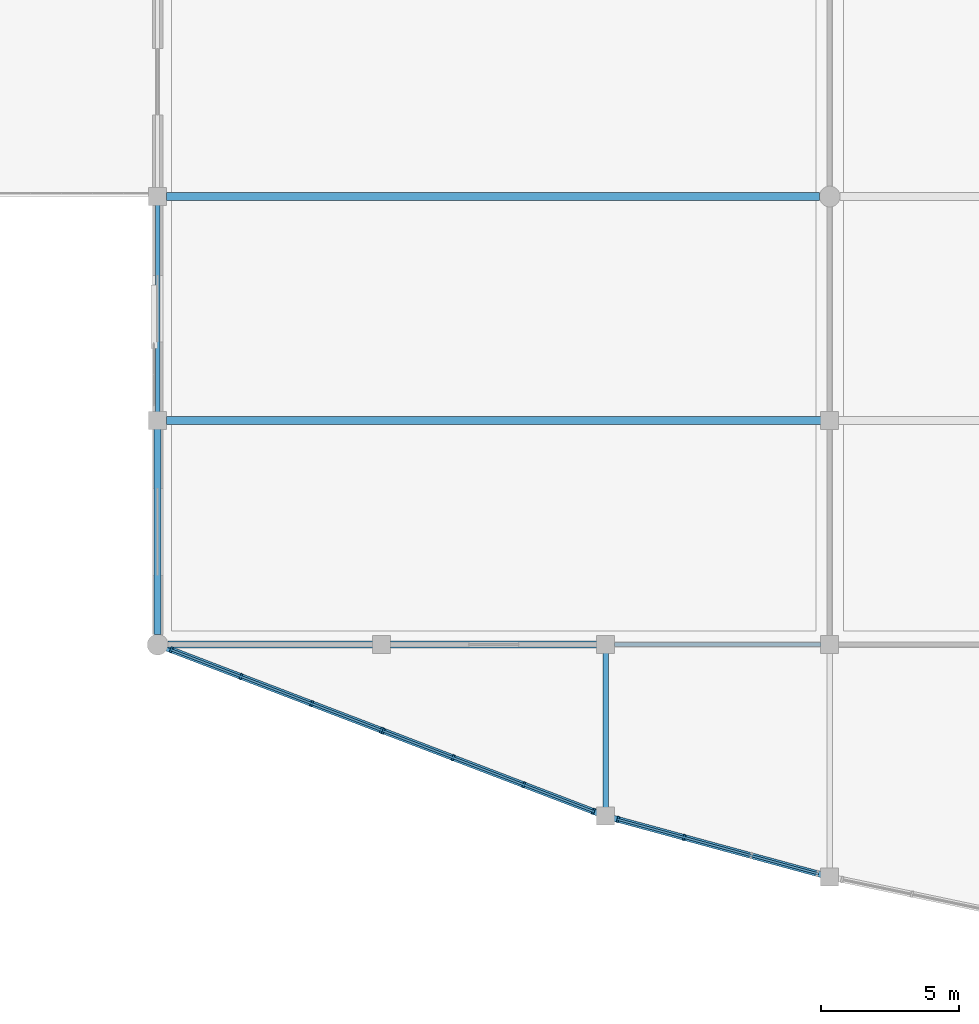
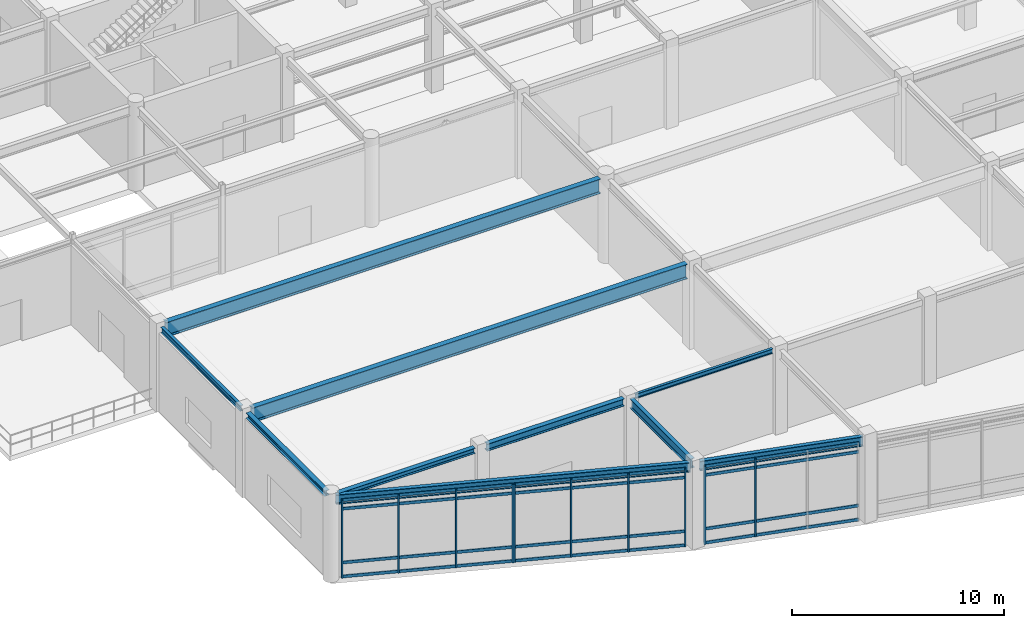
# One storey, part 22 of 99: 22 members, 10 beams, 3 elements without a shape of their own.
"""IFC4 building model written with IfcOpenShell, lengths in metres."""

from ifc_helpers import new_model, si_unit, direction, frame, origin, origin_2d, place, context, subcontext, project, spatial, rectangle, i_section, extrude, material, layer, layer_set, material_profile, profile_set, type_object, element, aggregate, save


model = new_model("IFC4")

# Units and contexts
model_context = context("Model", 3, precision=1e-05, world=origin(), true_north=direction((0.0, 1.0)))
body_context = subcontext(model_context, "Body", "Model", "MODEL_VIEW")
ifc_project = project(units=[si_unit("LENGTHUNIT", "METRE"), si_unit("AREAUNIT", "SQUARE_METRE"), si_unit("VOLUMEUNIT", "CUBIC_METRE"), si_unit("PLANEANGLEUNIT", "RADIAN"), si_unit("MASSUNIT", "GRAM", prefix="KILO")], contexts=[model_context])

# Site, building, storey
site_placement = place(None, origin())
site = spatial("IfcSite", under=ifc_project, at=site_placement, CompositionType="ELEMENT")
building_placement = place(site_placement, origin())
building = spatial("IfcBuilding", under=site, at=building_placement, Name="Vaudrelin Polytechnic", CompositionType="ELEMENT")
storey_placement = place(building_placement, origin())
storey = spatial("IfcBuildingStorey", under=building, at=storey_placement, Name="L00", CompositionType="ELEMENT", Elevation=0.0)

# Beams
ifc_material_1 = material(Name="Steel CSA G40.21 350WT", Category="steel")
ifc_material_profile_1 = material_profile(ifc_material_1, i_section(OverallWidth=0.260009765625, OverallDepth=0.4150390625, WebThickness=0.010009765625, FlangeThickness=0.016845703125, FilletRadius=0.01611328125, at=origin_2d()), Name="W410x100")
ifc_profile_set_1 = profile_set([ifc_material_profile_1], Name="Steel CSA G40.21 350WT")
beam_type_1 = type_object("IfcBeamType", Name="BM-BM-W410H", PredefinedType="SPANDREL", material=ifc_profile_set_1)
beam_1_placement = place(storey_placement, frame((48.9208984375, 0.0, 4.612548828125), z_axis=(1.0, 0.0, 0.0), x_axis=(0.0, 1.0, 0.0)))
element("IfcBeam", 1, at=beam_1_placement, inside=storey, type_object=beam_type_1, Name="L00 X-beam 7-1", PredefinedType="SPANDREL", context=body_context, shape_type="SweptSolid", body=[
    extrude(i_section(OverallWidth=0.260009765625, OverallDepth=0.4150390625, WebThickness=0.010009765625, FlangeThickness=0.016845703125, FilletRadius=0.01611328125, at=origin_2d()), origin(), (0.0, 0.0, 1.0), 7.4580078125),
])
ifc_material_2 = material(Name="Steel CSA G40.21 350W", Category="steel")
ifc_material_profile_2 = material_profile(ifc_material_2, i_section(OverallWidth=0.208984375, OverallDepth=0.532958984375, WebThickness=0.01025390625, FlangeThickness=0.015625, FilletRadius=0.01904296875, at=origin_2d()), Name="W530x92")
ifc_profile_set_2 = profile_set([ifc_material_profile_2], Name="Steel CSA G40.21 350W")
beam_type_2 = type_object("IfcBeamType", Name="BM-BM-W530", PredefinedType="BEAM", material=ifc_profile_set_2)
beam_2_placement = place(storey_placement, frame((56.699951171875, -5.97998046875, 4.553466796875), z_axis=(0.0, 1.0, 0.0), x_axis=(-1.0, 0.0, 0.0)))
element("IfcBeam", 2, at=beam_2_placement, inside=storey, type_object=beam_type_2, Name="Sculptural edge beam L00 V2P_TIE_7", PredefinedType="BEAM", context=body_context, shape_type="SweptSolid", body=[
    extrude(i_section(OverallWidth=0.208984375, OverallDepth=0.532958984375, WebThickness=0.01025390625, FlangeThickness=0.015625, FilletRadius=0.01904296875, at=origin_2d()), origin(), (0.0, 0.0, 1.0), 5.760009765625),
])
ifc_material_profile_3 = material_profile(ifc_material_2, i_section(OverallWidth=0.214111328125, OverallDepth=0.549072265625, WebThickness=0.0146484375, FlangeThickness=0.023681640625, FilletRadius=0.01904296875, at=origin_2d()), Name="W530x138")
ifc_profile_set_3 = profile_set([ifc_material_profile_3], Name="Steel CSA G40.21 350W")
beam_type_3 = type_object("IfcBeamType", Name="BM-BM-W530H", PredefinedType="BEAM", material=ifc_profile_set_3)
beam_3_placement = place(storey_placement, frame((40.70556640625, -0.07861328125, 4.54541015625), z_axis=(0.933936876912, -0.357437980555, 0.0), x_axis=(0.357437980555, 0.933936876912, 0.0)))
element("IfcBeam", 3, at=beam_3_placement, inside=storey, type_object=beam_type_3, Name="Sculptural edge beam L00 V2P_BM_1", PredefinedType="BEAM", context=body_context, shape_type="SweptSolid", body=[
    extrude(i_section(OverallWidth=0.214111328125, OverallDepth=0.549072265625, WebThickness=0.0146484375, FlangeThickness=0.023681640625, FilletRadius=0.01904296875, at=origin_2d()), origin(), (0.0, 0.0, 1.0), 16.90576171875),
])
beam_4_placement = place(storey_placement, frame((56.912353515625, -6.2578125, 4.54541015625), z_axis=(0.965043793818, -0.262088679675, 0.0), x_axis=(0.262088679675, 0.965043793818, 0.0)))
element("IfcBeam", 4, at=beam_4_placement, inside=storey, type_object=beam_type_3, Name="Sculptural edge beam L00 V2P_BM_2", PredefinedType="BEAM", context=body_context, shape_type="SweptSolid", body=[
    extrude(i_section(OverallWidth=0.214111328125, OverallDepth=0.549072265625, WebThickness=0.0146484375, FlangeThickness=0.023681640625, FilletRadius=0.01904296875, at=origin_2d()), origin(), (0.0, 0.0, 1.0), 7.953369140625),
])
ifc_material_profile_4 = material_profile(ifc_material_2, i_section(OverallWidth=0.2919921875, OverallDepth=0.840087890625, WebThickness=0.0146484375, FlangeThickness=0.021728515625, FilletRadius=0.02392578125, at=origin_2d()), Name="W840x193")
ifc_profile_set_4 = profile_set([ifc_material_profile_4], Name="Steel CSA G40.21 350W")
beam_type_4 = type_object("IfcBeamType", Name="BM-BM-W840", PredefinedType="BEAM", material=ifc_profile_set_4)
beam_5_placement = place(storey_placement, frame((40.821044921875, 8.10009765625, 4.39990234375), z_axis=(1.0, 0.0, 0.0), x_axis=(0.0, 1.0, 0.0)))
element("IfcBeam", 5, at=beam_5_placement, inside=storey, type_object=beam_type_4, Name="Lecture hall clear-span girder L00-1A", PredefinedType="BEAM", context=body_context, shape_type="SweptSolid", body=[
    extrude(i_section(OverallWidth=0.2919921875, OverallDepth=0.840087890625, WebThickness=0.0146484375, FlangeThickness=0.021728515625, FilletRadius=0.02392578125, at=origin_2d()), origin(), (0.0, 0.0, 1.0), 23.657958984375),
])
beam_6_placement = place(storey_placement, frame((40.821044921875, 16.199951171875, 4.39990234375), z_axis=(1.0, 0.0, 0.0), x_axis=(0.0, 1.0, 0.0)))
element("IfcBeam", 6, at=beam_6_placement, inside=storey, type_object=beam_type_4, Name="Lecture hall clear-span girder L00-2A", PredefinedType="BEAM", context=body_context, shape_type="SweptSolid", body=[
    extrude(i_section(OverallWidth=0.2919921875, OverallDepth=0.840087890625, WebThickness=0.0146484375, FlangeThickness=0.021728515625, FilletRadius=0.02392578125, at=origin_2d()), origin(), (0.0, 0.0, 1.0), 23.60791015625),
])
ifc_material_profile_5 = material_profile(ifc_material_2, i_section(OverallWidth=0.14794921875, OverallDepth=0.26611328125, WebThickness=0.007568359375, FlangeThickness=0.012939453125, FilletRadius=0.012939453125, at=origin_2d()), Name="W250x45")
ifc_profile_set_5 = profile_set([ifc_material_profile_5], Name="Steel CSA G40.21 350W")
beam_type_5 = type_object("IfcBeamType", Name="BM-JS-W250", PredefinedType="JOIST", material=ifc_profile_set_5)
beam_7_placement = place(storey_placement, frame((57.02099609375, 0.0, 4.68701171875), z_axis=(1.0, 0.0, 0.0), x_axis=(0.0, 1.0, 0.0)))
element("IfcBeam", 7, at=beam_7_placement, inside=storey, type_object=beam_type_5, Name="L00 X-beam 8-1", PredefinedType="JOIST", context=body_context, shape_type="SweptSolid", body=[
    extrude(i_section(OverallWidth=0.14794921875, OverallDepth=0.26611328125, WebThickness=0.007568359375, FlangeThickness=0.012939453125, FilletRadius=0.012939453125, at=origin_2d()), origin(), (0.0, 0.0, 1.0), 7.4580078125),
])
ifc_material_profile_6 = material_profile(ifc_material_2, i_section(OverallWidth=0.1669921875, OverallDepth=0.31689453125, WebThickness=0.007568359375, FlangeThickness=0.01318359375, FilletRadius=0.013916015625, at=origin_2d()), Name="W310x52")
ifc_profile_set_6 = profile_set([ifc_material_profile_6], Name="Steel CSA G40.21 350W")
beam_type_6 = type_object("IfcBeamType", Name="BM-JS-W310", PredefinedType="JOIST", material=ifc_profile_set_6)
beam_8_placement = place(storey_placement, frame((40.5, 8.409912109375, 4.66162109375), z_axis=(0.0, 1.0, 0.0), x_axis=(-1.0, 0.0, 0.0)))
element("IfcBeam", 8, at=beam_8_placement, inside=storey, type_object=beam_type_6, Name="L00 Y-beam 6-2", PredefinedType="JOIST", context=body_context, shape_type="SweptSolid", body=[
    extrude(i_section(OverallWidth=0.1669921875, OverallDepth=0.31689453125, WebThickness=0.007568359375, FlangeThickness=0.01318359375, FilletRadius=0.013916015625, at=origin_2d()), origin(), (0.0, 0.0, 1.0), 7.47998046875),
])
ifc_material_profile_7 = material_profile(ifc_material_1, i_section(OverallWidth=0.25390625, OverallDepth=0.305908203125, WebThickness=0.0087890625, FlangeThickness=0.0146484375, FilletRadius=0.01611328125, at=origin_2d()), Name="W310x79")
ifc_profile_set_7 = profile_set([ifc_material_profile_7], Name="Steel CSA G40.21 350WT")
beam_type_7 = type_object("IfcBeamType", Name="BM-JS-W310H", PredefinedType="SPANDREL", material=ifc_profile_set_7)
beam_9_placement = place(storey_placement, frame((40.5, 0.360107421875, 4.6669921875), z_axis=(0.0, 1.0, 0.0), x_axis=(-1.0, 0.0, 0.0)))
element("IfcBeam", 9, at=beam_9_placement, inside=storey, type_object=beam_type_7, Name="L00 Y-beam 6-1", PredefinedType="SPANDREL", context=body_context, shape_type="SweptSolid", body=[
    extrude(i_section(OverallWidth=0.25390625, OverallDepth=0.305908203125, WebThickness=0.0087890625, FlangeThickness=0.0146484375, FilletRadius=0.01611328125, at=origin_2d()), origin(), (0.0, 0.0, 1.0), 7.429931640625),
])
beam_10_placement = place(storey_placement, frame((40.87109375, 0.0, 4.6669921875), z_axis=(1.0, 0.0, 0.0), x_axis=(0.0, 1.0, 0.0)))
element("IfcBeam", 10, at=beam_10_placement, inside=storey, type_object=beam_type_7, Name="L00 X-beam 6-1", PredefinedType="SPANDREL", context=body_context, shape_type="SweptSolid", body=[
    extrude(i_section(OverallWidth=0.25390625, OverallDepth=0.305908203125, WebThickness=0.0087890625, FlangeThickness=0.0146484375, FilletRadius=0.01611328125, at=origin_2d()), origin(), (0.0, 0.0, 1.0), 7.407958984375),
])

# Curtain wall, members
ifc_material_3 = material(Name="Thermally broken anodised aluminium AA 6063-T6 and low-e triple glazing", Category="aluminium")
ifc_layer = layer(ifc_material_3, 0.199951171875)
ifc_layer_set = layer_set([ifc_layer], Name="Thermally broken anodised aluminium AA 6063-T6 and low-e triple glazing")
curtain_wall_type = type_object("IfcCurtainWallType", Name="CW-CW-WG", PredefinedType="USERDEFINED", material=ifc_layer_set)
curtain_wall_1_placement = place(storey_placement, origin())
curtain_wall_1 = element("IfcCurtainWall", 11, at=curtain_wall_1_placement, inside=storey, type_object=curtain_wall_type, Name="Curtain wall L00 V2P_1_0", ObjectType="CURTAIN WALL", PredefinedType="USERDEFINED")
ifc_material_4 = material(Name="Anodised aluminium AA 6063-T6", Category="aluminium")
ifc_material_profile_8 = material_profile(ifc_material_4, rectangle(XDim=0.074951171875, YDim=0.219970703125, at=origin_2d()), Name="CWM-75x220")
ifc_profile_set_8 = profile_set([ifc_material_profile_8], Name="Anodised aluminium AA 6063-T6")
member_type_1 = type_object("IfcMemberType", Name="MEM-CWM-220", PredefinedType="MULLION", material=ifc_profile_set_8)
member_1_placement = place(storey_placement, frame((40.99169921875, -0.188232421875, 0.0), z_axis=(0.0, 0.0, 1.0), x_axis=(0.933937106876, -0.35743737969, 0.0)))
member_1 = element("IfcMember", 12, at=member_1_placement, type_object=member_type_1, Name="V2P_1_0 mullion 1", PredefinedType="MULLION", context=body_context, shape_type="SweptSolid", body=[
    extrude(rectangle(XDim=0.074951171875, YDim=0.219970703125, at=origin_2d()), origin(), (0.0, 0.0, 1.0), 4.489990234375),
])
member_2_placement = place(storey_placement, frame((43.51123046875, -1.152587890625, 0.0), z_axis=(0.0, 0.0, 1.0), x_axis=(0.933937106876, -0.35743737969, 0.0)))
member_2 = element("IfcMember", 13, at=member_2_placement, type_object=member_type_1, Name="V2P_1_0 mullion 2", PredefinedType="MULLION", context=body_context, shape_type="SweptSolid", body=[
    extrude(rectangle(XDim=0.074951171875, YDim=0.219970703125, at=origin_2d()), origin(), (0.0, 0.0, 1.0), 4.489990234375),
])
member_3_placement = place(storey_placement, frame((46.068115234375, -2.131103515625, 0.0), z_axis=(0.0, 0.0, 1.0), x_axis=(0.933937106876, -0.35743737969, 0.0)))
member_3 = element("IfcMember", 14, at=member_3_placement, type_object=member_type_1, Name="V2P_1_0 mullion 3", PredefinedType="MULLION", context=body_context, shape_type="SweptSolid", body=[
    extrude(rectangle(XDim=0.074951171875, YDim=0.219970703125, at=origin_2d()), origin(), (0.0, 0.0, 1.0), 4.489990234375),
])
member_4_placement = place(storey_placement, frame((48.587646484375, -3.09521484375, 0.0), z_axis=(0.0, 0.0, 1.0), x_axis=(0.933937106876, -0.35743737969, 0.0)))
member_4 = element("IfcMember", 15, at=member_4_placement, type_object=member_type_1, Name="V2P_1_0 mullion 4", PredefinedType="MULLION", context=body_context, shape_type="SweptSolid", body=[
    extrude(rectangle(XDim=0.074951171875, YDim=0.219970703125, at=origin_2d()), origin(), (0.0, 0.0, 1.0), 4.489990234375),
])

curtain_wall_2_placement = place(storey_placement, origin())
curtain_wall_2 = element("IfcCurtainWall", 16, at=curtain_wall_2_placement, inside=storey, type_object=curtain_wall_type, Name="Curtain wall L00 V2P_1_1", ObjectType="CURTAIN WALL", PredefinedType="USERDEFINED")
member_5_placement = place(storey_placement, frame((48.662353515625, -3.123779296875, 0.0), z_axis=(0.0, 0.0, 1.0), x_axis=(0.933941171322, -0.357426759645, 0.0)))
member_5 = element("IfcMember", 17, at=member_5_placement, type_object=member_type_1, Name="V2P_1_1 mullion 1", PredefinedType="MULLION", context=body_context, shape_type="SweptSolid", body=[
    extrude(rectangle(XDim=0.074951171875, YDim=0.219970703125, at=origin_2d()), origin(), (0.0, 0.0, 1.0), 4.489990234375),
])
member_6_placement = place(storey_placement, frame((51.181884765625, -4.088134765625, 0.0), z_axis=(0.0, 0.0, 1.0), x_axis=(0.933941171322, -0.357426759645, 0.0)))
member_6 = element("IfcMember", 18, at=member_6_placement, type_object=member_type_1, Name="V2P_1_1 mullion 2", PredefinedType="MULLION", context=body_context, shape_type="SweptSolid", body=[
    extrude(rectangle(XDim=0.074951171875, YDim=0.219970703125, at=origin_2d()), origin(), (0.0, 0.0, 1.0), 4.489990234375),
])
member_7_placement = place(storey_placement, frame((53.73876953125, -5.066650390625, 0.0), z_axis=(0.0, 0.0, 1.0), x_axis=(0.933941171322, -0.357426759645, 0.0)))
member_7 = element("IfcMember", 19, at=member_7_placement, type_object=member_type_1, Name="V2P_1_1 mullion 3", PredefinedType="MULLION", context=body_context, shape_type="SweptSolid", body=[
    extrude(rectangle(XDim=0.074951171875, YDim=0.219970703125, at=origin_2d()), origin(), (0.0, 0.0, 1.0), 4.489990234375),
])
member_8_placement = place(storey_placement, frame((56.25830078125, -6.031005859375, 0.0), z_axis=(0.0, 0.0, 1.0), x_axis=(0.933941171322, -0.357426759645, 0.0)))
member_8 = element("IfcMember", 20, at=member_8_placement, type_object=member_type_1, Name="V2P_1_1 mullion 4", PredefinedType="MULLION", context=body_context, shape_type="SweptSolid", body=[
    extrude(rectangle(XDim=0.074951171875, YDim=0.219970703125, at=origin_2d()), origin(), (0.0, 0.0, 1.0), 4.489990234375),
])

curtain_wall_3_placement = place(storey_placement, origin())
curtain_wall_3 = element("IfcCurtainWall", 21, at=curtain_wall_3_placement, inside=storey, type_object=curtain_wall_type, Name="Curtain wall L00 V2P_2_0", ObjectType="CURTAIN WALL", PredefinedType="USERDEFINED")
member_9_placement = place(storey_placement, frame((57.1455078125, -6.321044921875, 0.0), z_axis=(0.0, 0.0, 1.0), x_axis=(0.965042039381, -0.26209513965, 0.0)))
member_9 = element("IfcMember", 22, at=member_9_placement, type_object=member_type_1, Name="V2P_2_0 mullion 1", PredefinedType="MULLION", context=body_context, shape_type="SweptSolid", body=[
    extrude(rectangle(XDim=0.074951171875, YDim=0.219970703125, at=origin_2d()), origin(), (0.0, 0.0, 1.0), 4.489990234375),
])
member_10_placement = place(storey_placement, frame((59.53564453125, -6.97021484375, 0.0), z_axis=(0.0, 0.0, 1.0), x_axis=(0.965042039381, -0.26209513965, 0.0)))
member_10 = element("IfcMember", 23, at=member_10_placement, type_object=member_type_1, Name="V2P_2_0 mullion 2", PredefinedType="MULLION", context=body_context, shape_type="SweptSolid", body=[
    extrude(rectangle(XDim=0.074951171875, YDim=0.219970703125, at=origin_2d()), origin(), (0.0, 0.0, 1.0), 4.489990234375),
])

# Member
ifc_material_profile_9 = material_profile(ifc_material_4, rectangle(XDim=0.074951171875, YDim=0.1650390625, at=origin_2d()), Name="CWT-75x165")
ifc_profile_set_9 = profile_set([ifc_material_profile_9], Name="Anodised aluminium AA 6063-T6")
member_type_2 = type_object("IfcMemberType", Name="MEM-CWT-165", PredefinedType="USERDEFINED", material=ifc_profile_set_9)
member_11_placement = place(storey_placement, frame((40.954345703125, -0.173828125, 0.050048828125), z_axis=(0.933934252179, -0.357444838552, 0.0), x_axis=(0.357444838552, 0.933934252179, 0.0)))
member_11 = element("IfcMember", 24, at=member_11_placement, type_object=member_type_2, Name="V2P_1_0 transom 1", ObjectType="TRANSOM", PredefinedType="USERDEFINED", context=body_context, shape_type="SweptSolid", body=[
    extrude(rectangle(XDim=0.074951171875, YDim=0.1650390625, at=origin_2d()), origin(), (0.0, 0.0, 1.0), 8.21337890625),
])

member_12_placement = place(storey_placement, frame((40.954345703125, -0.173828125, 0.85009765625), z_axis=(0.933934252179, -0.357444838552, 0.0), x_axis=(0.357444838552, 0.933934252179, 0.0)))
member_12 = element("IfcMember", 25, at=member_12_placement, type_object=member_type_2, Name="V2P_1_0 transom 2", ObjectType="TRANSOM", PredefinedType="USERDEFINED", context=body_context, shape_type="SweptSolid", body=[
    extrude(rectangle(XDim=0.074951171875, YDim=0.1650390625, at=origin_2d()), origin(), (0.0, 0.0, 1.0), 8.21337890625),
])

member_13_placement = place(storey_placement, frame((40.954345703125, -0.173828125, 3.93994140625), z_axis=(0.933934252179, -0.357444838552, 0.0), x_axis=(0.357444838552, 0.933934252179, 0.0)))
member_13 = element("IfcMember", 26, at=member_13_placement, type_object=member_type_2, Name="V2P_1_0 transom 3", ObjectType="TRANSOM", PredefinedType="USERDEFINED", context=body_context, shape_type="SweptSolid", body=[
    extrude(rectangle(XDim=0.074951171875, YDim=0.1650390625, at=origin_2d()), origin(), (0.0, 0.0, 1.0), 8.21337890625),
])

member_14_placement = place(storey_placement, frame((40.954345703125, -0.173828125, 4.43994140625), z_axis=(0.933934252179, -0.357444838552, 0.0), x_axis=(0.357444838552, 0.933934252179, 0.0)))
member_14 = element("IfcMember", 27, at=member_14_placement, type_object=member_type_2, Name="V2P_1_0 transom 4", ObjectType="TRANSOM", PredefinedType="USERDEFINED", context=body_context, shape_type="SweptSolid", body=[
    extrude(rectangle(XDim=0.074951171875, YDim=0.1650390625, at=origin_2d()), origin(), (0.0, 0.0, 1.0), 8.21337890625),
])

aggregate(curtain_wall_1, [member_1, member_2, member_3, member_4, member_11, member_12, member_13, member_14])

member_15_placement = place(storey_placement, frame((48.625, -3.109619140625, 0.050048828125), z_axis=(0.933944175068, -0.357418910883, 0.0), x_axis=(0.357418910883, 0.933944175068, 0.0)))
member_15 = element("IfcMember", 28, at=member_15_placement, type_object=member_type_2, Name="V2P_1_1 transom 1", ObjectType="TRANSOM", PredefinedType="USERDEFINED", context=body_context, shape_type="SweptSolid", body=[
    extrude(rectangle(XDim=0.074951171875, YDim=0.1650390625, at=origin_2d()), origin(), (0.0, 0.0, 1.0), 8.213134765625),
])

member_16_placement = place(storey_placement, frame((48.625, -3.109619140625, 0.85009765625), z_axis=(0.933944175068, -0.357418910883, 0.0), x_axis=(0.357418910883, 0.933944175068, 0.0)))
member_16 = element("IfcMember", 29, at=member_16_placement, type_object=member_type_2, Name="V2P_1_1 transom 2", ObjectType="TRANSOM", PredefinedType="USERDEFINED", context=body_context, shape_type="SweptSolid", body=[
    extrude(rectangle(XDim=0.074951171875, YDim=0.1650390625, at=origin_2d()), origin(), (0.0, 0.0, 1.0), 8.213134765625),
])

member_17_placement = place(storey_placement, frame((48.625, -3.109619140625, 3.93994140625), z_axis=(0.933944175068, -0.357418910883, 0.0), x_axis=(0.357418910883, 0.933944175068, 0.0)))
member_17 = element("IfcMember", 30, at=member_17_placement, type_object=member_type_2, Name="V2P_1_1 transom 3", ObjectType="TRANSOM", PredefinedType="USERDEFINED", context=body_context, shape_type="SweptSolid", body=[
    extrude(rectangle(XDim=0.074951171875, YDim=0.1650390625, at=origin_2d()), origin(), (0.0, 0.0, 1.0), 8.213134765625),
])

member_18_placement = place(storey_placement, frame((48.625, -3.109619140625, 4.43994140625), z_axis=(0.933944175068, -0.357418910883, 0.0), x_axis=(0.357418910883, 0.933944175068, 0.0)))
member_18 = element("IfcMember", 31, at=member_18_placement, type_object=member_type_2, Name="V2P_1_1 transom 4", ObjectType="TRANSOM", PredefinedType="USERDEFINED", context=body_context, shape_type="SweptSolid", body=[
    extrude(rectangle(XDim=0.074951171875, YDim=0.1650390625, at=origin_2d()), origin(), (0.0, 0.0, 1.0), 8.213134765625),
])

aggregate(curtain_wall_2, [member_5, member_6, member_7, member_8, member_15, member_16, member_17, member_18])

member_19_placement = place(storey_placement, frame((57.10693359375, -6.310546875, 0.050048828125), z_axis=(0.965044595608, -0.262085727362, 0.0), x_axis=(0.262085727362, 0.965044595608, 0.0)))
member_19 = element("IfcMember", 32, at=member_19_placement, type_object=member_type_2, Name="V2P_2_0 transom 1", ObjectType="TRANSOM", PredefinedType="USERDEFINED", context=body_context, shape_type="SweptSolid", body=[
    extrude(rectangle(XDim=0.074951171875, YDim=0.1650390625, at=origin_2d()), origin(), (0.0, 0.0, 1.0), 7.550048828125),
])

member_20_placement = place(storey_placement, frame((57.10693359375, -6.310546875, 0.85009765625), z_axis=(0.965044595608, -0.262085727362, 0.0), x_axis=(0.262085727362, 0.965044595608, 0.0)))
member_20 = element("IfcMember", 33, at=member_20_placement, type_object=member_type_2, Name="V2P_2_0 transom 2", ObjectType="TRANSOM", PredefinedType="USERDEFINED", context=body_context, shape_type="SweptSolid", body=[
    extrude(rectangle(XDim=0.074951171875, YDim=0.1650390625, at=origin_2d()), origin(), (0.0, 0.0, 1.0), 7.550048828125),
])

member_21_placement = place(storey_placement, frame((57.10693359375, -6.310546875, 3.93994140625), z_axis=(0.965044595608, -0.262085727362, 0.0), x_axis=(0.262085727362, 0.965044595608, 0.0)))
member_21 = element("IfcMember", 34, at=member_21_placement, type_object=member_type_2, Name="V2P_2_0 transom 3", ObjectType="TRANSOM", PredefinedType="USERDEFINED", context=body_context, shape_type="SweptSolid", body=[
    extrude(rectangle(XDim=0.074951171875, YDim=0.1650390625, at=origin_2d()), origin(), (0.0, 0.0, 1.0), 7.550048828125),
])

member_22_placement = place(storey_placement, frame((57.10693359375, -6.310546875, 4.43994140625), z_axis=(0.965044595608, -0.262085727362, 0.0), x_axis=(0.262085727362, 0.965044595608, 0.0)))
member_22 = element("IfcMember", 35, at=member_22_placement, type_object=member_type_2, Name="V2P_2_0 transom 4", ObjectType="TRANSOM", PredefinedType="USERDEFINED", context=body_context, shape_type="SweptSolid", body=[
    extrude(rectangle(XDim=0.074951171875, YDim=0.1650390625, at=origin_2d()), origin(), (0.0, 0.0, 1.0), 7.550048828125),
])

aggregate(curtain_wall_3, [member_9, member_10, member_19, member_20, member_21, member_22])

save(model, "model.ifc")
